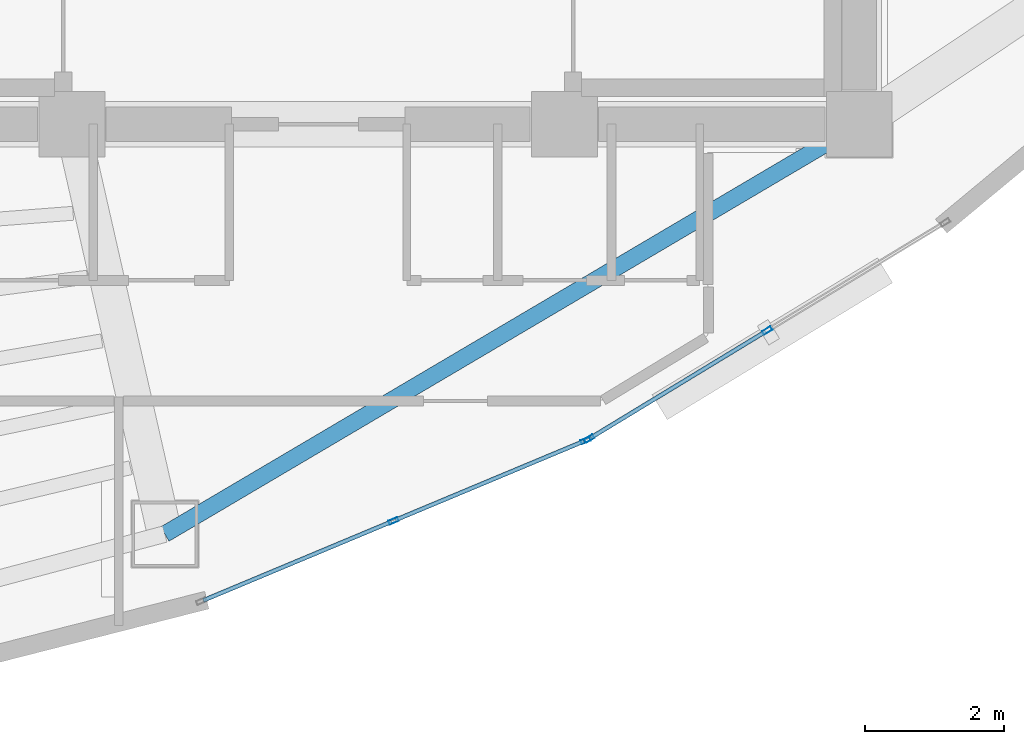
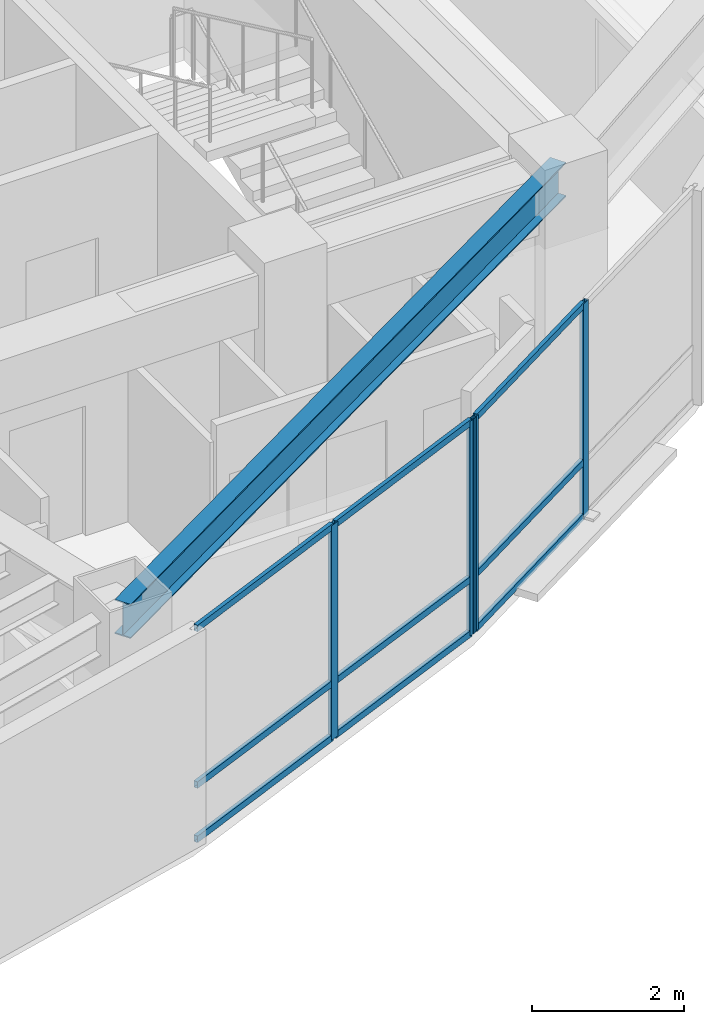
# One storey, part 4 of 14: 13 members, 1 beam, 2 elements without a shape of their own.
"""IFC4 building model written with IfcOpenShell, lengths in metres."""

import ifcopenshell
import ifcopenshell.guid

model = None  # the IFC model being written
_history = None  # IfcOwnerHistory: only IFC2X3 demands one
_inside = {}  # id of a spatial element -> (the spatial element, [elements in it])
_under = {}  # id of a project, library or spatial element -> (it, [spatial elements below it])
_declared = {}  # id of a project -> (the project, [libraries it declares])
_typed = {}  # id of a type object -> (the type object, [elements of that type])
_made_of = {}  # id of a material, layer set ... -> (it, [elements and type objects made of it])


def new_model(schema):
    """Start an empty IFC model of exactly this schema.

    Asked for "IFC4X3", IfcOpenShell would pick the latest addendum, in which some entities
    have other attributes; the version numbers below select the first issue.
    IFC2X3 requires an IfcOwnerHistory on every rooted entity: one is made here for all.
    """
    global model, _history
    if schema == "IFC4X3":
        model = ifcopenshell.file(schema_version=(4, 3, 0, 0))
    else:
        model = ifcopenshell.file(schema=schema)
    _inside.clear()
    _under.clear()
    _declared.clear()
    _typed.clear()
    _made_of.clear()
    _history = None
    if model.schema == "IFC2X3":
        org = make("IfcOrganization", Name="unknown")
        user = make(
            "IfcPersonAndOrganization",
            ThePerson=make("IfcPerson", FamilyName="unknown"),
            TheOrganization=org,
        )
        app = make(
            "IfcApplication",
            ApplicationDeveloper=org,
            Version="unknown",
            ApplicationFullName="unknown",
            ApplicationIdentifier="unknown",
        )
        _history = make(
            "IfcOwnerHistory",
            OwningUser=user,
            OwningApplication=app,
            ChangeAction="ADDED",
            CreationDate=0,
        )
    return model


def make(cls, **values):
    """One entity of the class cls with the attributes given. An attribute that is None is left unset."""
    return model.create_entity(
        cls, **{name: value for name, value in values.items() if value is not None}
    )


def rooted(cls, **values):
    """An entity with a GlobalId (a new one), such as an element, a storey or a relation."""
    return make(cls, GlobalId=ifcopenshell.guid.new(), OwnerHistory=_history, **values)


def si_unit(unit_type, name, prefix=None):
    """IfcSIUnit, for example si_unit("LENGTHUNIT", "METRE", prefix="MILLI")."""
    return make("IfcSIUnit", UnitType=unit_type, Prefix=prefix, Name=name)


def assignment(units):
    """IfcUnitAssignment: the units of a project."""
    return None if units is None else make("IfcUnitAssignment", Units=units)


def point(xyz):
    """IfcCartesianPoint."""
    return None if xyz is None else make("IfcCartesianPoint", Coordinates=xyz)


def direction(xyz):
    """IfcDirection."""
    return None if xyz is None else make("IfcDirection", DirectionRatios=xyz)


def frame(location, z_axis=None, x_axis=None):
    """IfcAxis2Placement3D, a coordinate frame: its origin and axes. An axis left out is left unset."""
    return make(
        "IfcAxis2Placement3D",
        Location=point(location),
        Axis=direction(z_axis),
        RefDirection=direction(x_axis),
    )


def frame_2d(location, x_axis=None):
    """IfcAxis2Placement2D, a coordinate frame in the plane: its origin and x axis."""
    return make(
        "IfcAxis2Placement2D", Location=point(location), RefDirection=direction(x_axis)
    )


def origin():
    """The frame at (0, 0, 0) with its axes left unset."""
    return frame((0.0, 0.0, 0.0))


def origin_2d():
    """The frame at (0, 0) in the plane with its x axis left unset."""
    return frame_2d((0.0, 0.0))


def place(relative_to, where):
    """IfcLocalPlacement: puts the frame where relative to a parent placement (None: the world)."""
    return make(
        "IfcLocalPlacement", PlacementRelTo=relative_to, RelativePlacement=where
    )


def context(
    kind, dimensions, precision=None, world=None, true_north=None, identifier=None
):
    """IfcGeometricRepresentationContext, for example the 3D "Model" context."""
    return make(
        "IfcGeometricRepresentationContext",
        ContextIdentifier=identifier,
        ContextType=kind,
        CoordinateSpaceDimension=dimensions,
        Precision=precision,
        WorldCoordinateSystem=world,
        TrueNorth=true_north,
    )


def subcontext(parent, identifier, kind, view, scale=None):
    """IfcGeometricRepresentationSubContext, for example "Body" below "Model"."""
    return make(
        "IfcGeometricRepresentationSubContext",
        ContextIdentifier=identifier,
        ContextType=kind,
        ParentContext=parent,
        TargetScale=scale,
        TargetView=view,
    )


def project(units=None, contexts=None):
    """IfcProject with its units and contexts."""
    return rooted(
        "IfcProject",
        Name="project",
        RepresentationContexts=contexts,
        UnitsInContext=assignment(units),
    )


def spatial(cls, under=None, at=None, **own):
    """A site, building, storey or space (cls), placed at a placement, below another one or the project."""
    s = rooted(cls, ObjectPlacement=at, **own)
    if under is not None:
        _under.setdefault(under.id(), (under, []))[1].append(s)
    return s


def profile(cls, at=None, kind="AREA", **sizes):
    """A parametric profile (cls). Its sizes go by their IFC names, for example OverallWidth=200.0."""
    return make(cls, ProfileType=kind, Position=at, **sizes)


def hollow_rectangle(**sizes):
    """IfcRectangleHollowProfileDef."""
    return profile("IfcRectangleHollowProfileDef", **sizes)


def i_section(**sizes):
    """IfcIShapeProfileDef."""
    return profile("IfcIShapeProfileDef", **sizes)


def extrude(swept, where, along, depth):
    """IfcExtrudedAreaSolid: the profile swept, set in the frame where, extruded along a direction by depth."""
    return make(
        "IfcExtrudedAreaSolid",
        SweptArea=swept,
        Position=where,
        ExtrudedDirection=direction(along),
        Depth=depth,
    )


def shape(context_of_items, identifier, shape_type, items):
    """IfcShapeRepresentation: the items that make up one representation, for example the "Body"."""
    return make(
        "IfcShapeRepresentation",
        ContextOfItems=context_of_items,
        RepresentationIdentifier=identifier,
        RepresentationType=shape_type,
        Items=items,
    )


def material(Name=None, Category=None):
    """IfcMaterial."""
    return make("IfcMaterial", Name=Name, Category=Category)


def layer(
    of_material, thickness, ventilated=None, Name=None, Category=None, Priority=None
):
    """IfcMaterialLayer: one layer of a wall or slab, of a material (None: an air gap)."""
    return make(
        "IfcMaterialLayer",
        Material=of_material,
        LayerThickness=thickness,
        IsVentilated=ventilated,
        Name=Name,
        Category=Category,
        Priority=Priority,
    )


def layer_set(layers, Name=None):
    """IfcMaterialLayerSet."""
    return make("IfcMaterialLayerSet", MaterialLayers=layers, LayerSetName=Name)


def material_profile(
    of_material, cross_section, Name=None, Category=None, Priority=None
):
    """IfcMaterialProfile: a cross section and its material."""
    return make(
        "IfcMaterialProfile",
        Name=Name,
        Material=of_material,
        Profile=cross_section,
        Priority=Priority,
        Category=Category,
    )


def profile_set(profiles, Name=None, composite=None):
    """IfcMaterialProfileSet."""
    return make(
        "IfcMaterialProfileSet",
        Name=Name,
        MaterialProfiles=profiles,
        CompositeProfile=composite,
    )


def made_of(thing, what):
    """Note that an element or type object is made of a material, layer set ...; save() writes the relation."""
    if what is not None:
        _made_of.setdefault(what.id(), (what, []))[1].append(thing)
    return thing


def type_object(cls, material=None, **own):
    """A type object (cls), such as IfcWallType, which elements share."""
    return made_of(rooted(cls, **own), material)


def element(
    cls,
    number,
    at=None,
    inside=None,
    cuts=None,
    type_object=None,
    material=None,
    context=None,
    identifier="Body",
    shape_type=None,
    held_by="IfcProductDefinitionShape",
    body=None,
    shapes=None,
    **own,
):
    """One element of the class cls, such as IfcWall. Its Tag is "e" and its number.

    at: its placement. inside: the storey or other place that contains it. cuts: it is an
    opening in that element (IfcRelVoidsElement). A single representation is given by context,
    identifier, shape_type and body (its items); several are given by shapes. held_by: the class
    of the entity that holds the representations. save() writes the other relations.
    """
    e = rooted(cls, Tag="e%d" % number, ObjectPlacement=at, **own)
    if body is not None:
        shapes = [shape(context, identifier, shape_type, body)]
    if shapes is not None:
        e.Representation = make(held_by, Representations=shapes)
    if inside is not None:
        _inside.setdefault(inside.id(), (inside, []))[1].append(e)
    if cuts is not None:
        rooted(
            "IfcRelVoidsElement", RelatingBuildingElement=cuts, RelatedOpeningElement=e
        )
    if type_object is not None:
        _typed.setdefault(type_object.id(), (type_object, []))[1].append(e)
    return made_of(e, material)


def aggregate(whole, parts):
    """IfcRelAggregates: a whole, such as a stair, and the parts it consists of."""
    return rooted("IfcRelAggregates", RelatingObject=whole, RelatedObjects=parts)


def save(model, path):
    """Write the relations noted so far, then the file.

    IfcRelAggregates (storeys below a building ...), IfcRelContainedInSpatialStructure (elements
    in a storey), IfcRelDefinesByType, IfcRelAssociatesMaterial and IfcRelDeclares: one each for
    every whole, place, type object, material and project.
    """
    for whole, parts in _under.values():
        aggregate(whole, parts)
    for where, things in _inside.values():
        rooted(
            "IfcRelContainedInSpatialStructure",
            RelatedElements=things,
            RelatingStructure=where,
        )
    for kind, things in _typed.values():
        rooted("IfcRelDefinesByType", RelatedObjects=things, RelatingType=kind)
    for what, things in _made_of.values():
        rooted("IfcRelAssociatesMaterial", RelatedObjects=things, RelatingMaterial=what)
    for by, libraries in _declared.values():
        rooted("IfcRelDeclares", RelatingContext=by, RelatedDefinitions=libraries)
    model.write(path)


model = new_model("IFC4")

# Units and contexts
model_context = context("Model", 3, precision=1e-05, world=origin(), true_north=direction((0.0, 1.0)))
body_context = subcontext(model_context, "Body", "Model", "MODEL_VIEW")
ifc_project = project(units=[si_unit("LENGTHUNIT", "METRE"), si_unit("AREAUNIT", "SQUARE_METRE"), si_unit("VOLUMEUNIT", "CUBIC_METRE"), si_unit("PLANEANGLEUNIT", "RADIAN"), si_unit("MASSUNIT", "GRAM", prefix="KILO")], contexts=[model_context])

# Site, building, storey
site_placement = place(None, origin())
site = spatial("IfcSite", under=ifc_project, at=site_placement, CompositionType="ELEMENT")
building_placement = place(site_placement, origin())
building = spatial("IfcBuilding", under=site, at=building_placement, Name="Menara Vayukalpa", CompositionType="ELEMENT")
storey_placement = place(building_placement, frame((0.0, 0.0, 191.52001953125)))
storey = spatial("IfcBuildingStorey", under=building, at=storey_placement, Name="L48", CompositionType="ELEMENT", Elevation=191.52001953125)

# Beam
ifc_material_1 = material(Name="Steel S355", Category="steel")
ifc_material_profile_1 = material_profile(ifc_material_1, i_section(OverallWidth=0.239990234375, OverallDepth=0.550048828125, WebThickness=0.010986328125, FlangeThickness=0.01904296875, at=origin_2d()), Name="WF 550x240x11x19")
ifc_profile_set_1 = profile_set([ifc_material_profile_1], Name="Steel S355")
beam_type = type_object("IfcBeamType", Name="BM-SP2", PredefinedType="SPANDREL", material=ifc_profile_set_1)
beam_placement = place(storey_placement, frame((23.389404296875, 11.29150390625, 3.1650390625), z_axis=(0.861184403346, 0.508292655302, 0.0), x_axis=(-0.508292655302, 0.861184403346, 0.0)))
element("IfcBeam", 1, at=beam_placement, inside=storey, type_object=beam_type, Name="L48 Perimeter Spandrel Beam SP08", PredefinedType="SPANDREL", context=body_context, shape_type="SweptSolid", body=[
    extrude(i_section(OverallWidth=0.239990234375, OverallDepth=0.550048828125, WebThickness=0.010986328125, FlangeThickness=0.01904296875, at=origin_2d()), origin(), (0.0, 0.0, 1.0), 11.6240234375),
])

# Curtain wall, members
ifc_material_2 = material(Name="Anodised Terracotta Aluminium Alloy 6063-T6", Category="masonry")
ifc_layer = layer(ifc_material_2, 0.139892578125)
ifc_layer_set = layer_set([ifc_layer], Name="Anodised Terracotta Aluminium Alloy 6063-T6")
curtain_wall_type = type_object("IfcCurtainWallType", Name="CW-CW5", PredefinedType="USERDEFINED", material=ifc_layer_set)
curtain_wall_1_placement = place(storey_placement, origin())
curtain_wall_1 = element("IfcCurtainWall", 2, at=curtain_wall_1_placement, inside=storey, type_object=curtain_wall_type, Name="L48 High Rise Tapered Curtain Wall CW5 16", ObjectType="UNITISED", PredefinedType="USERDEFINED")
ifc_material_3 = material(Name="Anodised Terracotta Aluminium Alloy 6063-T6", Category="masonry")
ifc_material_profile_2 = material_profile(ifc_material_3, hollow_rectangle(XDim=0.06005859375, YDim=0.139892578125, WallThickness=0.00341796875, at=origin_2d()), Name="ALU 60x140x3.5")
ifc_profile_set_2 = profile_set([ifc_material_profile_2], Name="Anodised Terracotta Aluminium Alloy 6063-T6")
member_type_1 = type_object("IfcMemberType", Name="CWM-CW5", PredefinedType="MULLION", material=ifc_profile_set_2)
member_1_placement = place(storey_placement, frame((26.686279296875, 11.481689453125, 0.0), z_axis=(0.0, 0.0, 1.0), x_axis=(-0.385902834406, 0.922539431351, 0.0)))
member_1 = element("IfcMember", 3, at=member_1_placement, type_object=member_type_1, Name="CW5 mullion 2", PredefinedType="MULLION", context=body_context, shape_type="SweptSolid", body=[
    extrude(hollow_rectangle(XDim=0.06005859375, YDim=0.139892578125, WallThickness=0.00341796875, at=origin_2d()), origin(), (0.0, 0.0, 1.0), 3.43994140625),
])
member_2_placement = place(storey_placement, frame((29.4560546875, 12.640380859375, 0.0), z_axis=(0.0, 0.0, 1.0), x_axis=(-0.385902834406, 0.922539431351, 0.0)))
member_2 = element("IfcMember", 4, at=member_2_placement, type_object=member_type_1, Name="CW5 mullion 3", PredefinedType="MULLION", context=body_context, shape_type="SweptSolid", body=[
    extrude(hollow_rectangle(XDim=0.06005859375, YDim=0.139892578125, WallThickness=0.00341796875, at=origin_2d()), origin(), (0.0, 0.0, 1.0), 3.43994140625),
])

curtain_wall_2_placement = place(storey_placement, origin())
curtain_wall_2 = element("IfcCurtainWall", 5, at=curtain_wall_2_placement, inside=storey, type_object=curtain_wall_type, Name="L48 High Rise Tapered Curtain Wall CW5 17", ObjectType="UNITISED", PredefinedType="USERDEFINED")
member_3_placement = place(storey_placement, frame((29.509521484375, 12.66748046875, 0.0), z_axis=(0.0, 0.0, 1.0), x_axis=(-0.519179911779, 0.854664974832, 0.0)))
member_3 = element("IfcMember", 6, at=member_3_placement, type_object=member_type_1, Name="CW5 mullion 1", PredefinedType="MULLION", context=body_context, shape_type="SweptSolid", body=[
    extrude(hollow_rectangle(XDim=0.06005859375, YDim=0.139892578125, WallThickness=0.00341796875, at=origin_2d()), origin(), (0.0, 0.0, 1.0), 3.43994140625),
])
member_4_placement = place(storey_placement, frame((32.075439453125, 14.226318359375, 0.0), z_axis=(0.0, 0.0, 1.0), x_axis=(-0.519179911779, 0.854664974832, 0.0)))
member_4 = element("IfcMember", 7, at=member_4_placement, type_object=member_type_1, Name="CW5 mullion 2", PredefinedType="MULLION", context=body_context, shape_type="SweptSolid", body=[
    extrude(hollow_rectangle(XDim=0.06005859375, YDim=0.139892578125, WallThickness=0.00341796875, at=origin_2d()), origin(), (0.0, 0.0, 1.0), 3.43994140625),
])

# Member
ifc_material_4 = material(Name="Anodised Terracotta Aluminium Alloy 6063-T6", Category="masonry")
ifc_material_profile_3 = material_profile(ifc_material_4, hollow_rectangle(XDim=0.06005859375, YDim=0.10498046875, WallThickness=0.0029296875, at=origin_2d()), Name="ALU 60x105x3")
ifc_profile_set_3 = profile_set([ifc_material_profile_3], Name="Anodised Terracotta Aluminium Alloy 6063-T6")
member_type_2 = type_object("IfcMemberType", Name="CWT-CW5", PredefinedType="USERDEFINED", material=ifc_profile_set_3)
member_5_placement = place(storey_placement, frame((23.94384765625, 10.33447265625, 0.030029296875), z_axis=(0.922543360613, 0.385893440976, 0.0), x_axis=(-0.385893440976, 0.922543360613, 0.0)))
member_5 = element("IfcMember", 8, at=member_5_placement, type_object=member_type_2, Name="CW5 transom 1.1", ObjectType="TRANSOM", PredefinedType="USERDEFINED", context=body_context, shape_type="SweptSolid", body=[
    extrude(hollow_rectangle(XDim=0.06005859375, YDim=0.10498046875, WallThickness=0.0029296875, at=origin_2d()), origin(), (0.0, 0.0, 1.0), 2.942626953125),
])

member_6_placement = place(storey_placement, frame((23.94384765625, 10.33447265625, 0.89990234375), z_axis=(0.922543360613, 0.385893440976, 0.0), x_axis=(-0.385893440976, 0.922543360613, 0.0)))
member_6 = element("IfcMember", 9, at=member_6_placement, type_object=member_type_2, Name="CW5 transom 1.2", ObjectType="TRANSOM", PredefinedType="USERDEFINED", context=body_context, shape_type="SweptSolid", body=[
    extrude(hollow_rectangle(XDim=0.06005859375, YDim=0.10498046875, WallThickness=0.0029296875, at=origin_2d()), origin(), (0.0, 0.0, 1.0), 2.942626953125),
])

member_7_placement = place(storey_placement, frame((23.94384765625, 10.33447265625, 3.409912109375), z_axis=(0.922543360613, 0.385893440976, 0.0), x_axis=(-0.385893440976, 0.922543360613, 0.0)))
member_7 = element("IfcMember", 10, at=member_7_placement, type_object=member_type_2, Name="CW5 transom 1.3", ObjectType="TRANSOM", PredefinedType="USERDEFINED", context=body_context, shape_type="SweptSolid", body=[
    extrude(hollow_rectangle(XDim=0.06005859375, YDim=0.10498046875, WallThickness=0.0029296875, at=origin_2d()), origin(), (0.0, 0.0, 1.0), 2.942626953125),
])

member_8_placement = place(storey_placement, frame((26.7138671875, 11.4931640625, 0.030029296875), z_axis=(0.922543360613, 0.385893440976, 0.0), x_axis=(-0.385893440976, 0.922543360613, 0.0)))
member_8 = element("IfcMember", 11, at=member_8_placement, type_object=member_type_2, Name="CW5 transom 2.1", ObjectType="TRANSOM", PredefinedType="USERDEFINED", context=body_context, shape_type="SweptSolid", body=[
    extrude(hollow_rectangle(XDim=0.06005859375, YDim=0.10498046875, WallThickness=0.0029296875, at=origin_2d()), origin(), (0.0, 0.0, 1.0), 2.942626953125),
])

member_9_placement = place(storey_placement, frame((26.7138671875, 11.4931640625, 0.89990234375), z_axis=(0.922543360613, 0.385893440976, 0.0), x_axis=(-0.385893440976, 0.922543360613, 0.0)))
member_9 = element("IfcMember", 12, at=member_9_placement, type_object=member_type_2, Name="CW5 transom 2.2", ObjectType="TRANSOM", PredefinedType="USERDEFINED", context=body_context, shape_type="SweptSolid", body=[
    extrude(hollow_rectangle(XDim=0.06005859375, YDim=0.10498046875, WallThickness=0.0029296875, at=origin_2d()), origin(), (0.0, 0.0, 1.0), 2.942626953125),
])

member_10_placement = place(storey_placement, frame((26.7138671875, 11.4931640625, 3.409912109375), z_axis=(0.922543360613, 0.385893440976, 0.0), x_axis=(-0.385893440976, 0.922543360613, 0.0)))
member_10 = element("IfcMember", 13, at=member_10_placement, type_object=member_type_2, Name="CW5 transom 2.3", ObjectType="TRANSOM", PredefinedType="USERDEFINED", context=body_context, shape_type="SweptSolid", body=[
    extrude(hollow_rectangle(XDim=0.06005859375, YDim=0.10498046875, WallThickness=0.0029296875, at=origin_2d()), origin(), (0.0, 0.0, 1.0), 2.942626953125),
])

aggregate(curtain_wall_1, [member_1, member_2, member_5, member_6, member_7, member_8, member_9, member_10])

member_11_placement = place(storey_placement, frame((29.53515625, 12.68310546875, 0.030029296875), z_axis=(0.85466128475, 0.51918598628, 0.0), x_axis=(-0.51918598628, 0.85466128475, 0.0)))
member_11 = element("IfcMember", 14, at=member_11_placement, type_object=member_type_2, Name="CW5 transom 1.1", ObjectType="TRANSOM", PredefinedType="USERDEFINED", context=body_context, shape_type="SweptSolid", body=[
    extrude(hollow_rectangle(XDim=0.06005859375, YDim=0.10498046875, WallThickness=0.0029296875, at=origin_2d()), origin(), (0.0, 0.0, 1.0), 2.9423828125),
])

member_12_placement = place(storey_placement, frame((29.53515625, 12.68310546875, 0.89990234375), z_axis=(0.85466128475, 0.51918598628, 0.0), x_axis=(-0.51918598628, 0.85466128475, 0.0)))
member_12 = element("IfcMember", 15, at=member_12_placement, type_object=member_type_2, Name="CW5 transom 1.2", ObjectType="TRANSOM", PredefinedType="USERDEFINED", context=body_context, shape_type="SweptSolid", body=[
    extrude(hollow_rectangle(XDim=0.06005859375, YDim=0.10498046875, WallThickness=0.0029296875, at=origin_2d()), origin(), (0.0, 0.0, 1.0), 2.9423828125),
])

member_13_placement = place(storey_placement, frame((29.53515625, 12.68310546875, 3.409912109375), z_axis=(0.85466128475, 0.51918598628, 0.0), x_axis=(-0.51918598628, 0.85466128475, 0.0)))
member_13 = element("IfcMember", 16, at=member_13_placement, type_object=member_type_2, Name="CW5 transom 1.3", ObjectType="TRANSOM", PredefinedType="USERDEFINED", context=body_context, shape_type="SweptSolid", body=[
    extrude(hollow_rectangle(XDim=0.06005859375, YDim=0.10498046875, WallThickness=0.0029296875, at=origin_2d()), origin(), (0.0, 0.0, 1.0), 2.9423828125),
])

aggregate(curtain_wall_2, [member_3, member_4, member_11, member_12, member_13])

save(model, "model.ifc")
